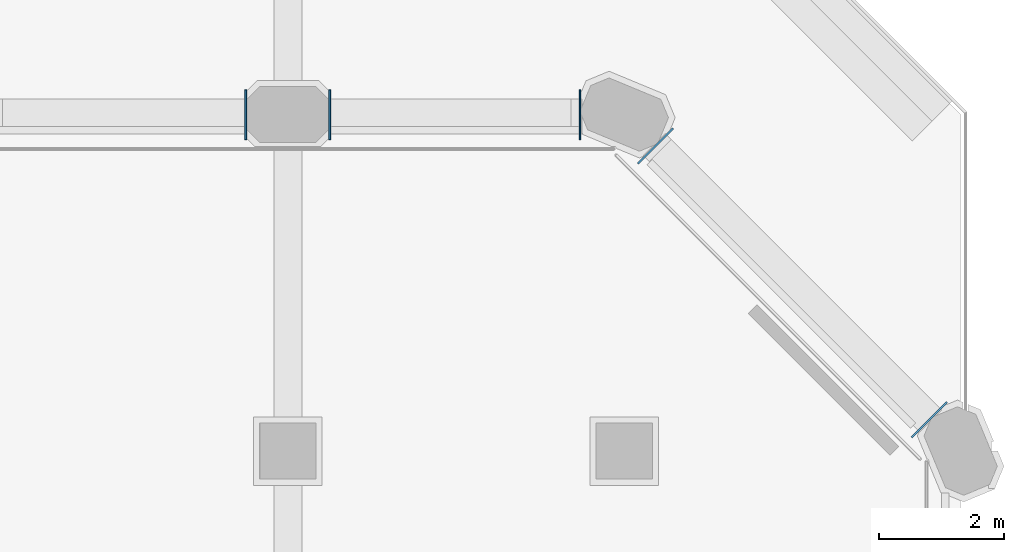
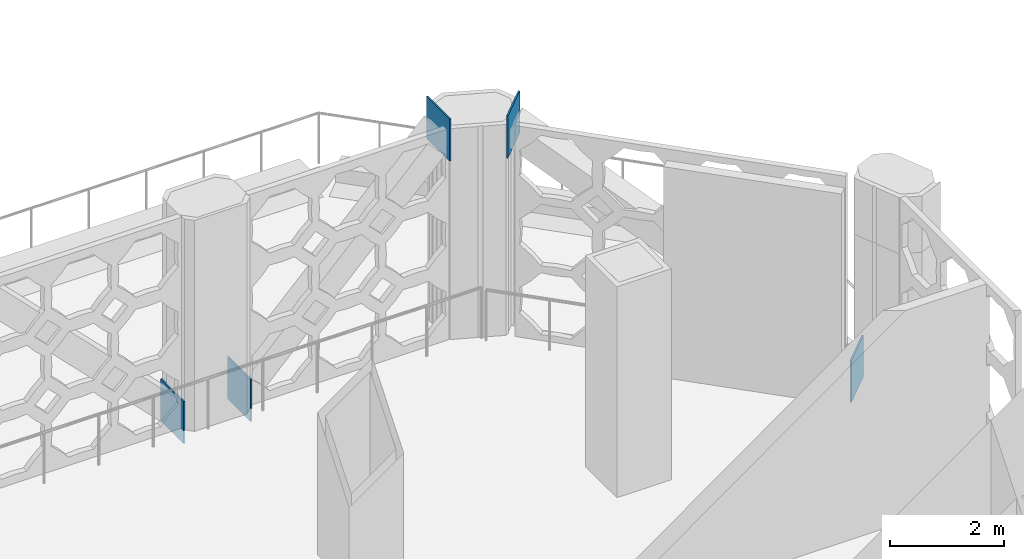
# One storey, part 12 of 17: 5 discrete accessories.
"""IFC4 building model written with IfcOpenShell, lengths in metres."""

import ifcopenshell
import ifcopenshell.guid

model = None  # the IFC model being written
_history = None  # IfcOwnerHistory: only IFC2X3 demands one
_inside = {}  # id of a spatial element -> (the spatial element, [elements in it])
_under = {}  # id of a project, library or spatial element -> (it, [spatial elements below it])
_declared = {}  # id of a project -> (the project, [libraries it declares])
_typed = {}  # id of a type object -> (the type object, [elements of that type])
_made_of = {}  # id of a material, layer set ... -> (it, [elements and type objects made of it])


def new_model(schema):
    """Start an empty IFC model of exactly this schema.

    Asked for "IFC4X3", IfcOpenShell would pick the latest addendum, in which some entities
    have other attributes; the version numbers below select the first issue.
    IFC2X3 requires an IfcOwnerHistory on every rooted entity: one is made here for all.
    """
    global model, _history
    if schema == "IFC4X3":
        model = ifcopenshell.file(schema_version=(4, 3, 0, 0))
    else:
        model = ifcopenshell.file(schema=schema)
    _inside.clear()
    _under.clear()
    _declared.clear()
    _typed.clear()
    _made_of.clear()
    _history = None
    if model.schema == "IFC2X3":
        org = make("IfcOrganization", Name="unknown")
        user = make(
            "IfcPersonAndOrganization",
            ThePerson=make("IfcPerson", FamilyName="unknown"),
            TheOrganization=org,
        )
        app = make(
            "IfcApplication",
            ApplicationDeveloper=org,
            Version="unknown",
            ApplicationFullName="unknown",
            ApplicationIdentifier="unknown",
        )
        _history = make(
            "IfcOwnerHistory",
            OwningUser=user,
            OwningApplication=app,
            ChangeAction="ADDED",
            CreationDate=0,
        )
    return model


def make(cls, **values):
    """One entity of the class cls with the attributes given. An attribute that is None is left unset."""
    return model.create_entity(
        cls, **{name: value for name, value in values.items() if value is not None}
    )


def rooted(cls, **values):
    """An entity with a GlobalId (a new one), such as an element, a storey or a relation."""
    return make(cls, GlobalId=ifcopenshell.guid.new(), OwnerHistory=_history, **values)


def si_unit(unit_type, name, prefix=None):
    """IfcSIUnit, for example si_unit("LENGTHUNIT", "METRE", prefix="MILLI")."""
    return make("IfcSIUnit", UnitType=unit_type, Prefix=prefix, Name=name)


def assignment(units):
    """IfcUnitAssignment: the units of a project."""
    return None if units is None else make("IfcUnitAssignment", Units=units)


def point(xyz):
    """IfcCartesianPoint."""
    return None if xyz is None else make("IfcCartesianPoint", Coordinates=xyz)


def direction(xyz):
    """IfcDirection."""
    return None if xyz is None else make("IfcDirection", DirectionRatios=xyz)


def frame(location, z_axis=None, x_axis=None):
    """IfcAxis2Placement3D, a coordinate frame: its origin and axes. An axis left out is left unset."""
    return make(
        "IfcAxis2Placement3D",
        Location=point(location),
        Axis=direction(z_axis),
        RefDirection=direction(x_axis),
    )


def frame_2d(location, x_axis=None):
    """IfcAxis2Placement2D, a coordinate frame in the plane: its origin and x axis."""
    return make(
        "IfcAxis2Placement2D", Location=point(location), RefDirection=direction(x_axis)
    )


def origin():
    """The frame at (0, 0, 0) with its axes left unset."""
    return frame((0.0, 0.0, 0.0))


def origin_2d():
    """The frame at (0, 0) in the plane with its x axis left unset."""
    return frame_2d((0.0, 0.0))


def place(relative_to, where):
    """IfcLocalPlacement: puts the frame where relative to a parent placement (None: the world)."""
    return make(
        "IfcLocalPlacement", PlacementRelTo=relative_to, RelativePlacement=where
    )


def context(
    kind, dimensions, precision=None, world=None, true_north=None, identifier=None
):
    """IfcGeometricRepresentationContext, for example the 3D "Model" context."""
    return make(
        "IfcGeometricRepresentationContext",
        ContextIdentifier=identifier,
        ContextType=kind,
        CoordinateSpaceDimension=dimensions,
        Precision=precision,
        WorldCoordinateSystem=world,
        TrueNorth=true_north,
    )


def subcontext(parent, identifier, kind, view, scale=None):
    """IfcGeometricRepresentationSubContext, for example "Body" below "Model"."""
    return make(
        "IfcGeometricRepresentationSubContext",
        ContextIdentifier=identifier,
        ContextType=kind,
        ParentContext=parent,
        TargetScale=scale,
        TargetView=view,
    )


def project(units=None, contexts=None):
    """IfcProject with its units and contexts."""
    return rooted(
        "IfcProject",
        Name="project",
        RepresentationContexts=contexts,
        UnitsInContext=assignment(units),
    )


def spatial(cls, under=None, at=None, **own):
    """A site, building, storey or space (cls), placed at a placement, below another one or the project."""
    s = rooted(cls, ObjectPlacement=at, **own)
    if under is not None:
        _under.setdefault(under.id(), (under, []))[1].append(s)
    return s


def profile(cls, at=None, kind="AREA", **sizes):
    """A parametric profile (cls). Its sizes go by their IFC names, for example OverallWidth=200.0."""
    return make(cls, ProfileType=kind, Position=at, **sizes)


def rectangle(**sizes):
    """IfcRectangleProfileDef."""
    return profile("IfcRectangleProfileDef", **sizes)


def extrude(swept, where, along, depth):
    """IfcExtrudedAreaSolid: the profile swept, set in the frame where, extruded along a direction by depth."""
    return make(
        "IfcExtrudedAreaSolid",
        SweptArea=swept,
        Position=where,
        ExtrudedDirection=direction(along),
        Depth=depth,
    )


def shape(context_of_items, identifier, shape_type, items):
    """IfcShapeRepresentation: the items that make up one representation, for example the "Body"."""
    return make(
        "IfcShapeRepresentation",
        ContextOfItems=context_of_items,
        RepresentationIdentifier=identifier,
        RepresentationType=shape_type,
        Items=items,
    )


def material(Name=None, Category=None):
    """IfcMaterial."""
    return make("IfcMaterial", Name=Name, Category=Category)


def layer(
    of_material, thickness, ventilated=None, Name=None, Category=None, Priority=None
):
    """IfcMaterialLayer: one layer of a wall or slab, of a material (None: an air gap)."""
    return make(
        "IfcMaterialLayer",
        Material=of_material,
        LayerThickness=thickness,
        IsVentilated=ventilated,
        Name=Name,
        Category=Category,
        Priority=Priority,
    )


def layer_set(layers, Name=None):
    """IfcMaterialLayerSet."""
    return make("IfcMaterialLayerSet", MaterialLayers=layers, LayerSetName=Name)


def made_of(thing, what):
    """Note that an element or type object is made of a material, layer set ...; save() writes the relation."""
    if what is not None:
        _made_of.setdefault(what.id(), (what, []))[1].append(thing)
    return thing


def type_object(cls, material=None, **own):
    """A type object (cls), such as IfcWallType, which elements share."""
    return made_of(rooted(cls, **own), material)


def element(
    cls,
    number,
    at=None,
    inside=None,
    cuts=None,
    type_object=None,
    material=None,
    context=None,
    identifier="Body",
    shape_type=None,
    held_by="IfcProductDefinitionShape",
    body=None,
    shapes=None,
    **own,
):
    """One element of the class cls, such as IfcWall. Its Tag is "e" and its number.

    at: its placement. inside: the storey or other place that contains it. cuts: it is an
    opening in that element (IfcRelVoidsElement). A single representation is given by context,
    identifier, shape_type and body (its items); several are given by shapes. held_by: the class
    of the entity that holds the representations. save() writes the other relations.
    """
    e = rooted(cls, Tag="e%d" % number, ObjectPlacement=at, **own)
    if body is not None:
        shapes = [shape(context, identifier, shape_type, body)]
    if shapes is not None:
        e.Representation = make(held_by, Representations=shapes)
    if inside is not None:
        _inside.setdefault(inside.id(), (inside, []))[1].append(e)
    if cuts is not None:
        rooted(
            "IfcRelVoidsElement", RelatingBuildingElement=cuts, RelatedOpeningElement=e
        )
    if type_object is not None:
        _typed.setdefault(type_object.id(), (type_object, []))[1].append(e)
    return made_of(e, material)


def aggregate(whole, parts):
    """IfcRelAggregates: a whole, such as a stair, and the parts it consists of."""
    return rooted("IfcRelAggregates", RelatingObject=whole, RelatedObjects=parts)


def save(model, path):
    """Write the relations noted so far, then the file.

    IfcRelAggregates (storeys below a building ...), IfcRelContainedInSpatialStructure (elements
    in a storey), IfcRelDefinesByType, IfcRelAssociatesMaterial and IfcRelDeclares: one each for
    every whole, place, type object, material and project.
    """
    for whole, parts in _under.values():
        aggregate(whole, parts)
    for where, things in _inside.values():
        rooted(
            "IfcRelContainedInSpatialStructure",
            RelatedElements=things,
            RelatingStructure=where,
        )
    for kind, things in _typed.values():
        rooted("IfcRelDefinesByType", RelatedObjects=things, RelatingType=kind)
    for what, things in _made_of.values():
        rooted("IfcRelAssociatesMaterial", RelatedObjects=things, RelatingMaterial=what)
    for by, libraries in _declared.values():
        rooted("IfcRelDeclares", RelatingContext=by, RelatedDefinitions=libraries)
    model.write(path)


model = new_model("IFC4")

# Units and contexts
model_context = context("Model", 3, precision=1e-05, world=origin(), true_north=direction((0.0, 1.0)))
body_context = subcontext(model_context, "Body", "Model", "MODEL_VIEW")
ifc_project = project(units=[si_unit("LENGTHUNIT", "METRE"), si_unit("AREAUNIT", "SQUARE_METRE"), si_unit("VOLUMEUNIT", "CUBIC_METRE"), si_unit("PLANEANGLEUNIT", "RADIAN"), si_unit("MASSUNIT", "GRAM", prefix="KILO")], contexts=[model_context])

# Site, building, storey
site_placement = place(None, origin())
site = spatial("IfcSite", under=ifc_project, at=site_placement, CompositionType="ELEMENT")
building_placement = place(site_placement, origin())
building = spatial("IfcBuilding", under=site, at=building_placement, Name="Tabaq Tower and Sports Hall", CompositionType="ELEMENT")
storey_placement = place(building_placement, frame((0.0, 0.0, 125.800048828125)))
storey = spatial("IfcBuildingStorey", under=building, at=storey_placement, Name="L30", CompositionType="ELEMENT", Elevation=125.800048828125)

# Discrete accessories
ifc_material = material(Name="Steel S355", Category="steel")
ifc_layer = layer(ifc_material, 0.030029296875)
ifc_layer_set = layer_set([ifc_layer], Name="BELT TRUSS NODE PLATE 800x900x30 S355")
discrete_accessory_type = type_object("IfcDiscreteAccessoryType", Name="BELT TRUSS NODE PLATE 800x900x30 S355", PredefinedType="ANCHORPLATE", material=ifc_layer_set)
for number, where, z_axis, x_axis, name in (
    (1, (42.6982421875, 38.3017578125, -0.240478515625), (0.0, 0.0, 1.0), (-0.707106781187, 0.707106781187, 0.0), "Belt truss node plate L30"),
    (2, (38.3017578125, 42.6982421875, 3.84033203125), (0.0, 0.0, 1.0), (-0.707106781187, 0.707106781187, 0.0), "Belt truss node plate L30"),
    (3, (37.09033203125, 43.199951171875, 3.874755859375), (0.0, 0.0, 1.0), (-1.0, 0.0, 0.0), "Belt truss node plate L30"),
    (4, (33.074951171875, 43.199951171875, -0.27490234375), (0.0, 0.0, 1.0), (-1.0, 0.0, 0.0), "Belt truss node plate L30"),
    (5, (31.72509765625, 43.199951171875, -0.27392578125), (0.0, 0.0, 1.0), (-1.0, 0.0, 0.0), "Belt truss node plate L30"),
):
    element("IfcDiscreteAccessory", number, at=place(storey_placement, frame(where, z_axis=z_axis, x_axis=x_axis)), inside=storey, type_object=discrete_accessory_type, Name=name, PredefinedType="ANCHORPLATE", context=body_context, shape_type="SweptSolid", body=[
        extrude(rectangle(XDim=0.030029296875, YDim=0.800048828125, at=origin_2d()), origin(), (0.0, 0.0, 1.0), 0.89990234375),
    ])

save(model, "model.ifc")
